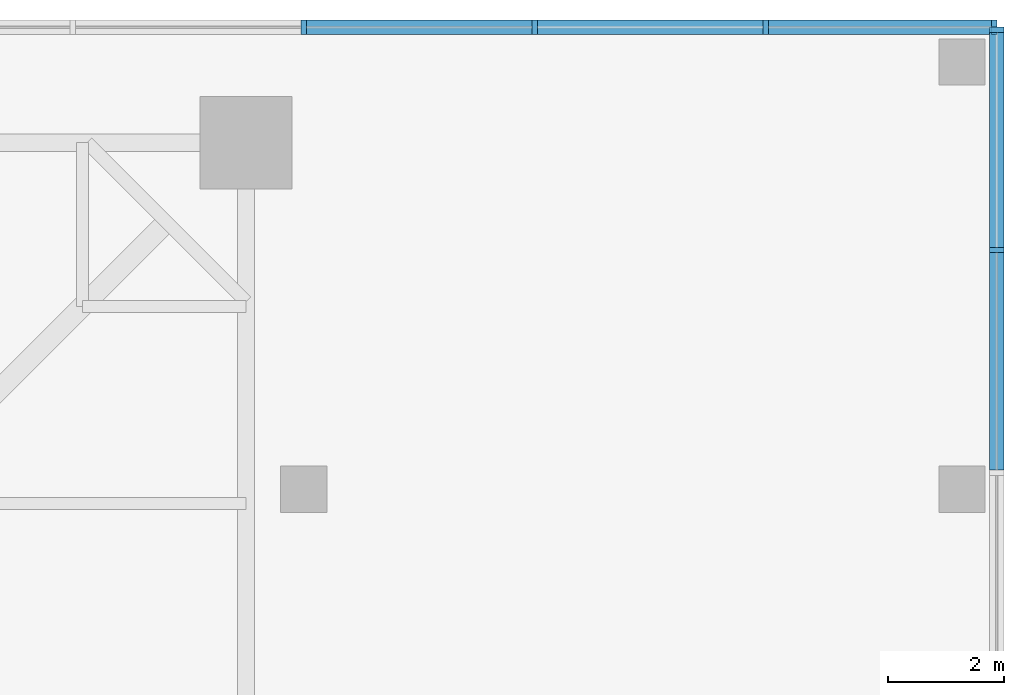
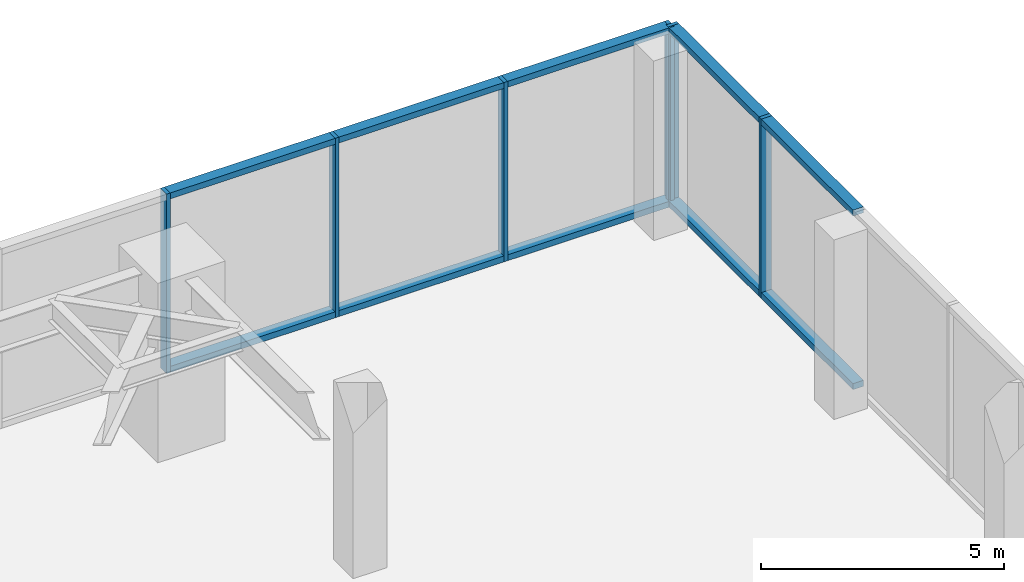
# One storey, part 8 of 14: 16 members, 2 elements without a shape of their own.
"""IFC4 building model written with IfcOpenShell, lengths in metres."""

from ifc_helpers import new_model, si_unit, direction, frame, origin, origin_2d, place, context, subcontext, project, spatial, rectangle, extrude, material, material_profile, profile_set, type_object, element, aggregate, save


model = new_model("IFC4")

# Units and contexts
model_context = context("Model", 3, precision=1e-05, world=origin(), true_north=direction((0.0, 1.0)))
body_context = subcontext(model_context, "Body", "Model", "MODEL_VIEW")
ifc_project = project(units=[si_unit("LENGTHUNIT", "METRE"), si_unit("AREAUNIT", "SQUARE_METRE"), si_unit("VOLUMEUNIT", "CUBIC_METRE"), si_unit("PLANEANGLEUNIT", "RADIAN"), si_unit("MASSUNIT", "GRAM", prefix="KILO")], contexts=[model_context])

# Site, building, storey
site_placement = place(None, origin())
site = spatial("IfcSite", under=ifc_project, at=site_placement, CompositionType="ELEMENT")
building_placement = place(site_placement, origin())
building = spatial("IfcBuilding", under=site, at=building_placement, Name="Torsade Residences", CompositionType="ELEMENT")
storey_placement = place(building_placement, frame((0.0, 0.0, 10.5)))
storey = spatial("IfcBuildingStorey", under=building, at=storey_placement, Name="L02", CompositionType="ELEMENT", Elevation=10.5)

# Curtain wall, members
ifc_material_1 = material(Name="Aluminium and glass", Category="aluminium")
curtain_wall_type = type_object("IfcCurtainWallType", Name="PODIUM CURTAIN WALL", PredefinedType="NOTDEFINED", material=ifc_material_1)
curtain_wall_1_placement = place(storey_placement, origin())
curtain_wall_1 = element("IfcCurtainWall", 1, at=curtain_wall_1_placement, inside=storey, type_object=curtain_wall_type, Name="Podium curtain wall L02 E", PredefinedType="NOTDEFINED")
ifc_material_2 = material(Name="Aluminium mullion", Category="aluminium")
ifc_material_profile_1 = material_profile(ifc_material_2, rectangle(XDim=0.25, YDim=0.090087890625, at=origin_2d()), Name="PODIUM CURTAIN WALL MULLION 250x90")
ifc_profile_set_1 = profile_set([ifc_material_profile_1], Name="Aluminium mullion")
member_type_1 = type_object("IfcMemberType", Name="PODIUM CURTAIN WALL MULLION 250x90", PredefinedType="MULLION", material=ifc_profile_set_1)
member_1_placement = place(storey_placement, frame((78.0, 53.142822265625, 0.0), z_axis=(0.0, 0.0, 1.0), x_axis=(-1.0, 0.0, 0.0)))
member_1 = element("IfcMember", 2, at=member_1_placement, type_object=member_type_1, Name="Mullion 14", PredefinedType="MULLION", context=body_context, shape_type="SweptSolid", body=[
    extrude(rectangle(XDim=0.25, YDim=0.090087890625, at=origin_2d()), origin(), (0.0, 0.0, 1.0), 4.5),
])
member_2_placement = place(storey_placement, frame((78.0, 56.955078125, 0.0), z_axis=(0.0, 0.0, 1.0), x_axis=(-1.0, 0.0, 0.0)))
member_2 = element("IfcMember", 3, at=member_2_placement, type_object=member_type_1, Name="Mullion 15", PredefinedType="MULLION", context=body_context, shape_type="SweptSolid", body=[
    extrude(rectangle(XDim=0.25, YDim=0.090087890625, at=origin_2d()), origin(), (0.0, 0.0, 1.0), 4.5),
])

curtain_wall_2_placement = place(storey_placement, origin())
curtain_wall_2 = element("IfcCurtainWall", 4, at=curtain_wall_2_placement, inside=storey, type_object=curtain_wall_type, Name="Podium curtain wall L02 N", PredefinedType="NOTDEFINED")
member_3_placement = place(storey_placement, frame((77.955078125, 57.0, 0.0), z_axis=(0.0, 0.0, 1.0), x_axis=(0.0, -1.0, 0.0)))
member_3 = element("IfcMember", 5, at=member_3_placement, type_object=member_type_1, Name="Mullion 1", PredefinedType="MULLION", context=body_context, shape_type="SweptSolid", body=[
    extrude(rectangle(XDim=0.25, YDim=0.090087890625, at=origin_2d()), origin(), (0.0, 0.0, 1.0), 4.5),
])
member_4_placement = place(storey_placement, frame((74.0, 57.0, 0.0), z_axis=(0.0, 0.0, 1.0), x_axis=(0.0, -1.0, 0.0)))
member_4 = element("IfcMember", 6, at=member_4_placement, type_object=member_type_1, Name="Mullion 2", PredefinedType="MULLION", context=body_context, shape_type="SweptSolid", body=[
    extrude(rectangle(XDim=0.25, YDim=0.090087890625, at=origin_2d()), origin(), (0.0, 0.0, 1.0), 4.5),
])
member_5_placement = place(storey_placement, frame((70.0, 57.0, 0.0), z_axis=(0.0, 0.0, 1.0), x_axis=(0.0, -1.0, 0.0)))
member_5 = element("IfcMember", 7, at=member_5_placement, type_object=member_type_1, Name="Mullion 3", PredefinedType="MULLION", context=body_context, shape_type="SweptSolid", body=[
    extrude(rectangle(XDim=0.25, YDim=0.090087890625, at=origin_2d()), origin(), (0.0, 0.0, 1.0), 4.5),
])
member_6_placement = place(storey_placement, frame((66.0, 57.0, 0.0), z_axis=(0.0, 0.0, 1.0), x_axis=(0.0, -1.0, 0.0)))
member_6 = element("IfcMember", 8, at=member_6_placement, type_object=member_type_1, Name="Mullion 4", PredefinedType="MULLION", context=body_context, shape_type="SweptSolid", body=[
    extrude(rectangle(XDim=0.25, YDim=0.090087890625, at=origin_2d()), origin(), (0.0, 0.0, 1.0), 4.5),
])

# Member
ifc_material_3 = material(Name="Aluminium transom", Category="aluminium")
ifc_material_profile_2 = material_profile(ifc_material_3, rectangle(XDim=0.25, YDim=0.14990234375, at=origin_2d()), Name="PODIUM CURTAIN WALL TRANSOM 250x150")
ifc_profile_set_2 = profile_set([ifc_material_profile_2], Name="Aluminium transom")
member_type_2 = type_object("IfcMemberType", Name="PODIUM CURTAIN WALL TRANSOM 250x150", PredefinedType="USERDEFINED", material=ifc_profile_set_2)
member_7_placement = place(storey_placement, frame((78.0, 49.330810546875, 0.074951171875), z_axis=(0.0, 1.0, 0.0), x_axis=(-1.0, 0.0, 0.0)))
member_7 = element("IfcMember", 9, at=member_7_placement, type_object=member_type_2, Name="Transom 13.1", ObjectType="TRANSOM", PredefinedType="USERDEFINED", context=body_context, shape_type="SweptSolid", body=[
    extrude(rectangle(XDim=0.25, YDim=0.14990234375, at=origin_2d()), origin(), (0.0, 0.0, 1.0), 3.76708984375),
])

member_8_placement = place(storey_placement, frame((78.0, 49.330810546875, 4.425048828125), z_axis=(0.0, 1.0, 0.0), x_axis=(-1.0, 0.0, 0.0)))
member_8 = element("IfcMember", 10, at=member_8_placement, type_object=member_type_2, Name="Transom 13.2", ObjectType="TRANSOM", PredefinedType="USERDEFINED", context=body_context, shape_type="SweptSolid", body=[
    extrude(rectangle(XDim=0.25, YDim=0.14990234375, at=origin_2d()), origin(), (0.0, 0.0, 1.0), 3.76708984375),
])

member_9_placement = place(storey_placement, frame((78.0, 53.187744140625, 0.074951171875), z_axis=(0.0, 1.0, 0.0), x_axis=(-1.0, 0.0, 0.0)))
member_9 = element("IfcMember", 11, at=member_9_placement, type_object=member_type_2, Name="Transom 14.1", ObjectType="TRANSOM", PredefinedType="USERDEFINED", context=body_context, shape_type="SweptSolid", body=[
    extrude(rectangle(XDim=0.25, YDim=0.14990234375, at=origin_2d()), origin(), (0.0, 0.0, 1.0), 3.72216796875),
])

member_10_placement = place(storey_placement, frame((78.0, 53.187744140625, 4.425048828125), z_axis=(0.0, 1.0, 0.0), x_axis=(-1.0, 0.0, 0.0)))
member_10 = element("IfcMember", 12, at=member_10_placement, type_object=member_type_2, Name="Transom 14.2", ObjectType="TRANSOM", PredefinedType="USERDEFINED", context=body_context, shape_type="SweptSolid", body=[
    extrude(rectangle(XDim=0.25, YDim=0.14990234375, at=origin_2d()), origin(), (0.0, 0.0, 1.0), 3.72216796875),
])

aggregate(curtain_wall_1, [member_1, member_2, member_7, member_8, member_9, member_10])

member_11_placement = place(storey_placement, frame((77.909912109375, 57.0, 0.074951171875), z_axis=(-1.0, 0.0, 0.0), x_axis=(0.0, -1.0, 0.0)))
member_11 = element("IfcMember", 13, at=member_11_placement, type_object=member_type_2, Name="Transom 1.1", ObjectType="TRANSOM", PredefinedType="USERDEFINED", context=body_context, shape_type="SweptSolid", body=[
    extrude(rectangle(XDim=0.25, YDim=0.14990234375, at=origin_2d()), origin(), (0.0, 0.0, 1.0), 3.864990234375),
])

member_12_placement = place(storey_placement, frame((77.909912109375, 57.0, 4.425048828125), z_axis=(-1.0, 0.0, 0.0), x_axis=(0.0, -1.0, 0.0)))
member_12 = element("IfcMember", 14, at=member_12_placement, type_object=member_type_2, Name="Transom 1.2", ObjectType="TRANSOM", PredefinedType="USERDEFINED", context=body_context, shape_type="SweptSolid", body=[
    extrude(rectangle(XDim=0.25, YDim=0.14990234375, at=origin_2d()), origin(), (0.0, 0.0, 1.0), 3.864990234375),
])

member_13_placement = place(storey_placement, frame((73.955078125, 57.0, 0.074951171875), z_axis=(-1.0, 0.0, 0.0), x_axis=(0.0, -1.0, 0.0)))
member_13 = element("IfcMember", 15, at=member_13_placement, type_object=member_type_2, Name="Transom 2.1", ObjectType="TRANSOM", PredefinedType="USERDEFINED", context=body_context, shape_type="SweptSolid", body=[
    extrude(rectangle(XDim=0.25, YDim=0.14990234375, at=origin_2d()), origin(), (0.0, 0.0, 1.0), 3.91015625),
])

member_14_placement = place(storey_placement, frame((73.955078125, 57.0, 4.425048828125), z_axis=(-1.0, 0.0, 0.0), x_axis=(0.0, -1.0, 0.0)))
member_14 = element("IfcMember", 16, at=member_14_placement, type_object=member_type_2, Name="Transom 2.2", ObjectType="TRANSOM", PredefinedType="USERDEFINED", context=body_context, shape_type="SweptSolid", body=[
    extrude(rectangle(XDim=0.25, YDim=0.14990234375, at=origin_2d()), origin(), (0.0, 0.0, 1.0), 3.91015625),
])

member_15_placement = place(storey_placement, frame((69.955078125, 57.0, 0.074951171875), z_axis=(-1.0, 0.0, 0.0), x_axis=(0.0, -1.0, 0.0)))
member_15 = element("IfcMember", 17, at=member_15_placement, type_object=member_type_2, Name="Transom 3.1", ObjectType="TRANSOM", PredefinedType="USERDEFINED", context=body_context, shape_type="SweptSolid", body=[
    extrude(rectangle(XDim=0.25, YDim=0.14990234375, at=origin_2d()), origin(), (0.0, 0.0, 1.0), 3.91015625),
])

member_16_placement = place(storey_placement, frame((69.955078125, 57.0, 4.425048828125), z_axis=(-1.0, 0.0, 0.0), x_axis=(0.0, -1.0, 0.0)))
member_16 = element("IfcMember", 18, at=member_16_placement, type_object=member_type_2, Name="Transom 3.2", ObjectType="TRANSOM", PredefinedType="USERDEFINED", context=body_context, shape_type="SweptSolid", body=[
    extrude(rectangle(XDim=0.25, YDim=0.14990234375, at=origin_2d()), origin(), (0.0, 0.0, 1.0), 3.91015625),
])

aggregate(curtain_wall_2, [member_3, member_4, member_5, member_6, member_11, member_12, member_13, member_14, member_15, member_16])

save(model, "model.ifc")
